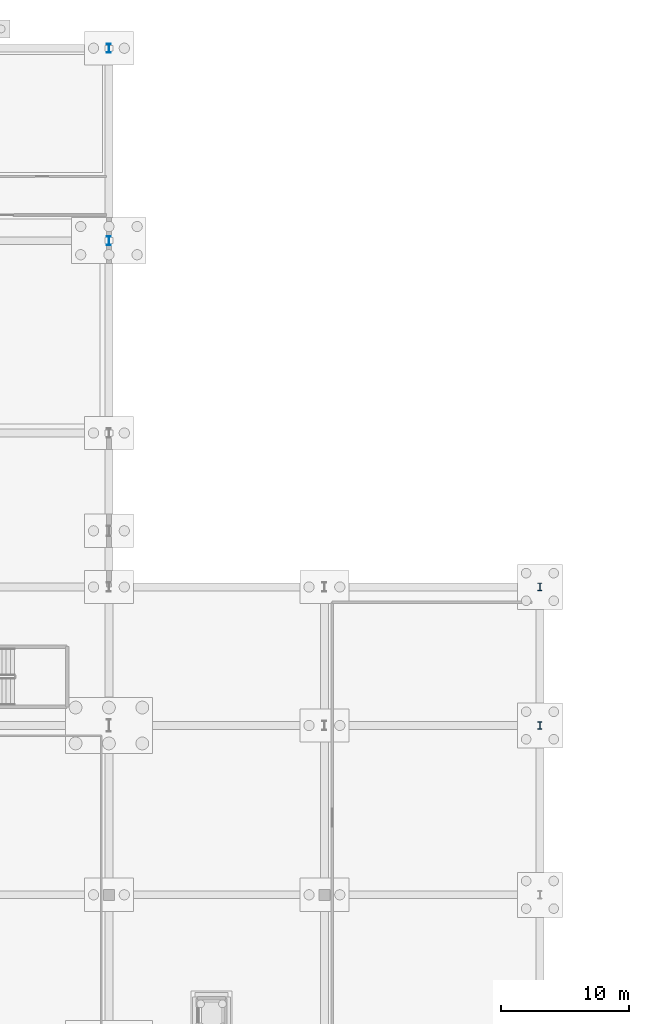
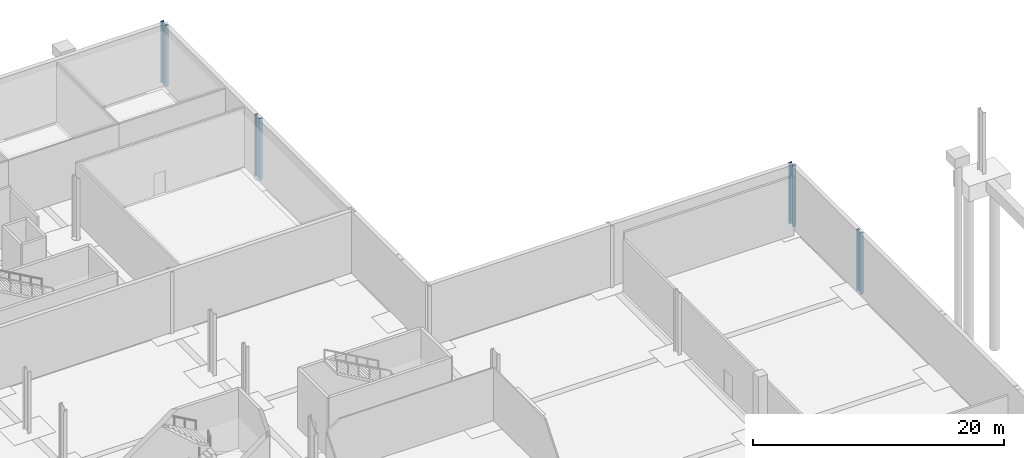
# One storey, part 19 of 46: 4 columns.
"""IFC4 building model written with IfcOpenShell, lengths in metres."""

from ifc_helpers import new_model, si_unit, direction, frame, origin, origin_2d, place, context, subcontext, project, spatial, i_section, extrude, material, material_profile, profile_set, type_object, element, save


model = new_model("IFC4")

# Units and contexts
model_context = context("Model", 3, precision=1e-05, world=origin(), true_north=direction((0.0, 1.0)))
body_context = subcontext(model_context, "Body", "Model", "MODEL_VIEW")
ifc_project = project(units=[si_unit("LENGTHUNIT", "METRE"), si_unit("AREAUNIT", "SQUARE_METRE"), si_unit("VOLUMEUNIT", "CUBIC_METRE"), si_unit("PLANEANGLEUNIT", "RADIAN"), si_unit("MASSUNIT", "GRAM", prefix="KILO")], contexts=[model_context])

# Site, building, storey
site_placement = place(None, origin())
site = spatial("IfcSite", under=ifc_project, at=site_placement, CompositionType="ELEMENT")
building_placement = place(site_placement, origin())
building = spatial("IfcBuilding", under=site, at=building_placement, Name="Kimbaza Rail Terminus", CompositionType="ELEMENT")
storey_placement = place(building_placement, frame((0.0, 0.0, -6.0)))
storey = spatial("IfcBuildingStorey", under=building, at=storey_placement, Name="B1", CompositionType="ELEMENT", Elevation=-6.0)

# Columns
ifc_material_1 = material(Name="Steel S355", Category="steel")
ifc_material_profile_1 = material_profile(ifc_material_1, i_section(OverallWidth=0.300048828125, OverallDepth=0.60009765625, WebThickness=0.015380859375, FlangeThickness=0.030029296875, FilletRadius=0.027099609375, at=origin_2d()), Name="HEB 600")
ifc_profile_set_1 = profile_set([ifc_material_profile_1], Name="Steel S355")
column_type_1 = type_object("IfcColumnType", Name="STR-COL-HEB600", PredefinedType="COLUMN", material=ifc_profile_set_1)
for number, where, z_axis, x_axis, name in (
    (1, (189.60009765625, 80.199951171875, 0.0), (0.0, 0.0, 1.0), (1.0, 0.0, 0.0), "Concourse Outer Wing Column B1"),
    (2, (189.60009765625, 91.0, 0.0), (0.0, 0.0, 1.0), (1.0, 0.0, 0.0), "Concourse Outer Wing Column B1"),
):
    element("IfcColumn", number, at=place(storey_placement, frame(where, z_axis=z_axis, x_axis=x_axis)), inside=storey, type_object=column_type_1, Name=name, PredefinedType="COLUMN", context=body_context, shape_type="SweptSolid", body=[
        extrude(i_section(OverallWidth=0.300048828125, OverallDepth=0.60009765625, WebThickness=0.015380859375, FlangeThickness=0.030029296875, FilletRadius=0.027099609375, at=origin_2d()), origin(), (0.0, 0.0, 1.0), 6.0),
    ])
ifc_material_2 = material(Name="Steel S355", Category="steel")
ifc_material_profile_2 = material_profile(ifc_material_2, i_section(OverallWidth=0.303955078125, OverallDepth=0.716064453125, WebThickness=0.02099609375, FlangeThickness=0.0400390625, FilletRadius=0.027099609375, at=origin_2d()), Name="HEM 700")
ifc_profile_set_2 = profile_set([ifc_material_profile_2], Name="Steel S355")
column_type_2 = type_object("IfcColumnType", Name="STR-COL-HEM700", PredefinedType="COLUMN", material=ifc_profile_set_2)
for number, where, z_axis, x_axis, name in (
    (3, (156.0, 118.0, 0.0), (0.0, 0.0, 1.0), (1.0, 0.0, 0.0), "Operations Column B1 (6,1)"),
    (4, (156.0, 133.0, 0.0), (0.0, 0.0, 1.0), (1.0, 0.0, 0.0), "Operations Column B1 (6,2)"),
):
    element("IfcColumn", number, at=place(storey_placement, frame(where, z_axis=z_axis, x_axis=x_axis)), inside=storey, type_object=column_type_2, Name=name, PredefinedType="COLUMN", context=body_context, shape_type="SweptSolid", body=[
        extrude(i_section(OverallWidth=0.303955078125, OverallDepth=0.716064453125, WebThickness=0.02099609375, FlangeThickness=0.0400390625, FilletRadius=0.027099609375, at=origin_2d()), origin(), (0.0, 0.0, 1.0), 6.0),
    ])

save(model, "model.ifc")
